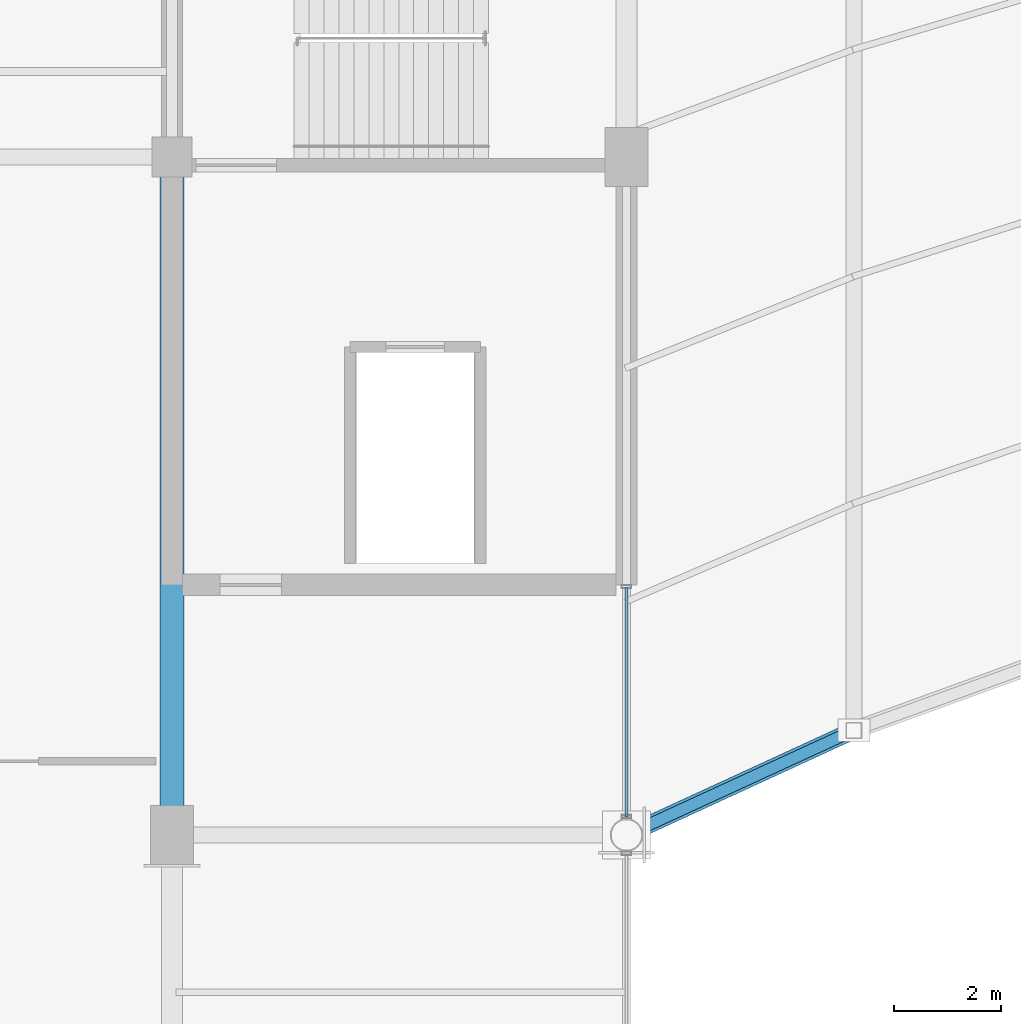
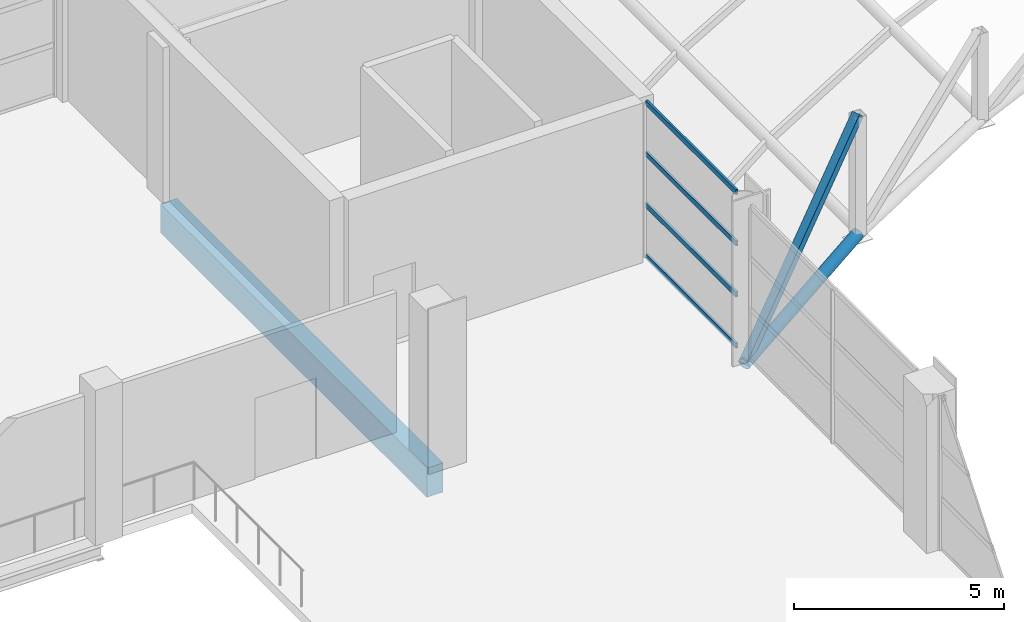
# One storey, part 26 of 101: 6 members, 1 beam, 1 element without a shape of its own.
"""IFC4 building model written with IfcOpenShell, lengths in metres."""

from ifc_helpers import new_model, si_unit, direction, frame, origin, origin_2d, place, context, subcontext, project, spatial, rectangle, hollow_rectangle, hollow_circle, extrude, material, material_profile, profile_set, type_object, element, aggregate, save


model = new_model("IFC4")

# Units and contexts
model_context = context("Model", 3, precision=1e-05, world=origin(), true_north=direction((0.0, 1.0)))
body_context = subcontext(model_context, "Body", "Model", "MODEL_VIEW")
ifc_project = project(units=[si_unit("LENGTHUNIT", "METRE"), si_unit("AREAUNIT", "SQUARE_METRE"), si_unit("VOLUMEUNIT", "CUBIC_METRE"), si_unit("PLANEANGLEUNIT", "RADIAN"), si_unit("MASSUNIT", "GRAM", prefix="KILO")], contexts=[model_context])

# Site, building, storey
site_placement = place(None, origin())
site = spatial("IfcSite", under=ifc_project, at=site_placement, CompositionType="ELEMENT")
building_placement = place(site_placement, origin())
building = spatial("IfcBuilding", under=site, at=building_placement, Name="Solvikara Media Centre", CompositionType="ELEMENT")
storey_placement = place(building_placement, frame((0.0, 0.0, 10.199951171875)))
storey = spatial("IfcBuildingStorey", under=building, at=storey_placement, Name="L02", CompositionType="ELEMENT", Elevation=10.199951171875)

# Beam
ifc_material_1 = material(Name="Concrete fc' 35 MPa (C35/45)", Category="concrete")
ifc_material_profile_1 = material_profile(ifc_material_1, rectangle(XDim=0.449951171875, YDim=0.85009765625, at=origin_2d()), Name="RC 450x850")
ifc_profile_set_1 = profile_set([ifc_material_profile_1], Name="Concrete fc' 35 MPa (C35/45)")
beam_type = type_object("IfcBeamType", Name="BM-14", PredefinedType="SPANDREL", material=ifc_profile_set_1)
beam_placement = place(storey_placement, frame((68.0, 19.323974609375, -0.704833984375), z_axis=(0.0, 1.0, 0.0), x_axis=(-1.0, 0.0, 0.0)))
element("IfcBeam", 1, at=beam_placement, inside=storey, type_object=beam_type, Name="B-L02-Y0968", PredefinedType="SPANDREL", context=body_context, shape_type="SweptSolid", body=[
    extrude(rectangle(XDim=0.449951171875, YDim=0.85009765625, at=origin_2d()), origin(), (0.0, 0.0, 1.0), 12.676025390625),
])

# Members
ifc_material_2 = material(Name="Steel S355JR", Category="steel")
ifc_material_profile_2 = material_profile(ifc_material_2, hollow_circle(Radius=0.161865234375, WallThickness=0.012451171875, at=origin_2d()), Name="CHS 323.9x12.5")
ifc_profile_set_2 = profile_set([ifc_material_profile_2], Name="Steel S355JR")
member_type_1 = type_object("IfcMemberType", Name="MB-02", PredefinedType="CHORD", material=ifc_profile_set_2)
member_1_placement = place(storey_placement, frame((76.5, 19.323974609375, -0.300048828125), z_axis=(0.883729951341, 0.406532022653, 0.231847121311), x_axis=(-0.417919391673, 0.908484112169, 0.0)))
element("IfcMember", 2, at=member_1_placement, inside=storey, type_object=member_type_1, Name="ARC-S-CH-00", PredefinedType="CHORD", context=body_context, shape_type="SweptSolid", body=[
    extrude(hollow_circle(Radius=0.161865234375, WallThickness=0.012451171875, at=origin_2d()), origin(), (0.0, 0.0, 1.0), 4.80908203125),
])
ifc_material_profile_3 = material_profile(ifc_material_2, hollow_rectangle(XDim=0.219970703125, YDim=0.219970703125, WallThickness=0.010009765625, at=origin_2d()), Name="RHS 220x220x10")
ifc_profile_set_3 = profile_set([ifc_material_profile_3], Name="Steel S355JR")
member_type_2 = type_object("IfcMemberType", Name="MB-30", PredefinedType="BRACE", material=ifc_profile_set_3)
member_2_placement = place(storey_placement, frame((76.5, 19.323974609375, -0.300048828125), z_axis=(0.648467853392, 0.298307132925, 0.700358692074), x_axis=(-0.417919391673, 0.908484112169, 0.0)))
element("IfcMember", 3, at=member_2_placement, inside=storey, type_object=member_type_2, Name="ARC-S-DG-00", PredefinedType="BRACE", context=body_context, shape_type="SweptSolid", body=[
    extrude(hollow_rectangle(XDim=0.219970703125, YDim=0.219970703125, WallThickness=0.010009765625, at=origin_2d()), origin(), (0.0, 0.0, 1.0), 6.553955078125),
])

# Curtain wall, members
ifc_material_3 = material(Name="Anodised aluminium EN AW-6063", Category="aluminium")
curtain_wall_type = type_object("IfcCurtainWallType", Name="CW-16", PredefinedType="NOTDEFINED", material=ifc_material_3)
curtain_wall_placement = place(storey_placement, origin())
curtain_wall = element("IfcCurtainWall", 4, at=curtain_wall_placement, inside=storey, type_object=curtain_wall_type, Name="CW-L02-V6E-S3", PredefinedType="NOTDEFINED")
ifc_material_profile_4 = material_profile(ifc_material_3, hollow_rectangle(XDim=0.06005859375, YDim=0.14990234375, WallThickness=0.0029296875, at=origin_2d()), Name="ALU-T 60x150x3")
ifc_profile_set_4 = profile_set([ifc_material_profile_4], Name="Anodised aluminium EN AW-6063")
member_type_3 = type_object("IfcMemberType", Name="MF-09", PredefinedType="USERDEFINED", material=ifc_profile_set_4)
member_3_placement = place(storey_placement, frame((76.5, 19.6689453125, 0.02001953125), z_axis=(0.0, 1.0, 0.0), x_axis=(-1.0, 0.0, 0.0)))
member_3 = element("IfcMember", 5, at=member_3_placement, type_object=member_type_3, Name="CW-L02-V6E-S3-T00", ObjectType="TRANSOM", PredefinedType="USERDEFINED", context=body_context, shape_type="SweptSolid", body=[
    extrude(hollow_rectangle(XDim=0.06005859375, YDim=0.14990234375, WallThickness=0.0029296875, at=origin_2d()), origin(), (0.0, 0.0, 1.0), 4.296142578125),
])
member_4_placement = place(storey_placement, frame((76.5, 19.6689453125, 1.507080078125), z_axis=(0.0, 1.0, 0.0), x_axis=(-1.0, 0.0, 0.0)))
member_4 = element("IfcMember", 6, at=member_4_placement, type_object=member_type_3, Name="CW-L02-V6E-S3-T01", ObjectType="TRANSOM", PredefinedType="USERDEFINED", context=body_context, shape_type="SweptSolid", body=[
    extrude(hollow_rectangle(XDim=0.06005859375, YDim=0.14990234375, WallThickness=0.0029296875, at=origin_2d()), origin(), (0.0, 0.0, 1.0), 4.296142578125),
])
member_5_placement = place(storey_placement, frame((76.5, 19.6689453125, 2.9931640625), z_axis=(0.0, 1.0, 0.0), x_axis=(-1.0, 0.0, 0.0)))
member_5 = element("IfcMember", 7, at=member_5_placement, type_object=member_type_3, Name="CW-L02-V6E-S3-T02", ObjectType="TRANSOM", PredefinedType="USERDEFINED", context=body_context, shape_type="SweptSolid", body=[
    extrude(hollow_rectangle(XDim=0.06005859375, YDim=0.14990234375, WallThickness=0.0029296875, at=origin_2d()), origin(), (0.0, 0.0, 1.0), 4.296142578125),
])
member_6_placement = place(storey_placement, frame((76.5, 19.6689453125, 4.47998046875), z_axis=(0.0, 1.0, 0.0), x_axis=(-1.0, 0.0, 0.0)))
member_6 = element("IfcMember", 8, at=member_6_placement, type_object=member_type_3, Name="CW-L02-V6E-S3-T03", ObjectType="TRANSOM", PredefinedType="USERDEFINED", context=body_context, shape_type="SweptSolid", body=[
    extrude(hollow_rectangle(XDim=0.06005859375, YDim=0.14990234375, WallThickness=0.0029296875, at=origin_2d()), origin(), (0.0, 0.0, 1.0), 4.296142578125),
])
aggregate(curtain_wall, [member_3, member_4, member_5, member_6])

save(model, "model.ifc")
